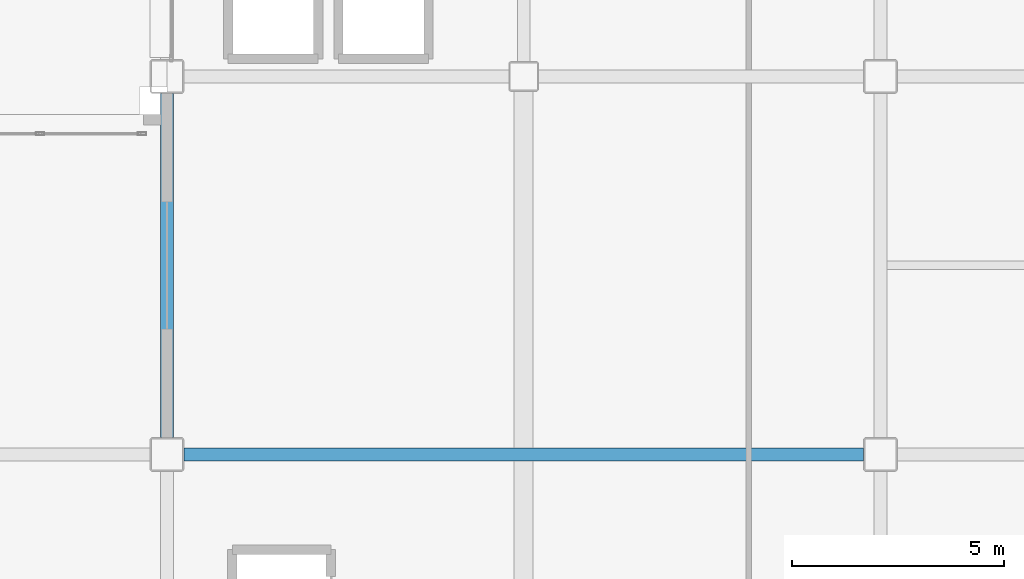
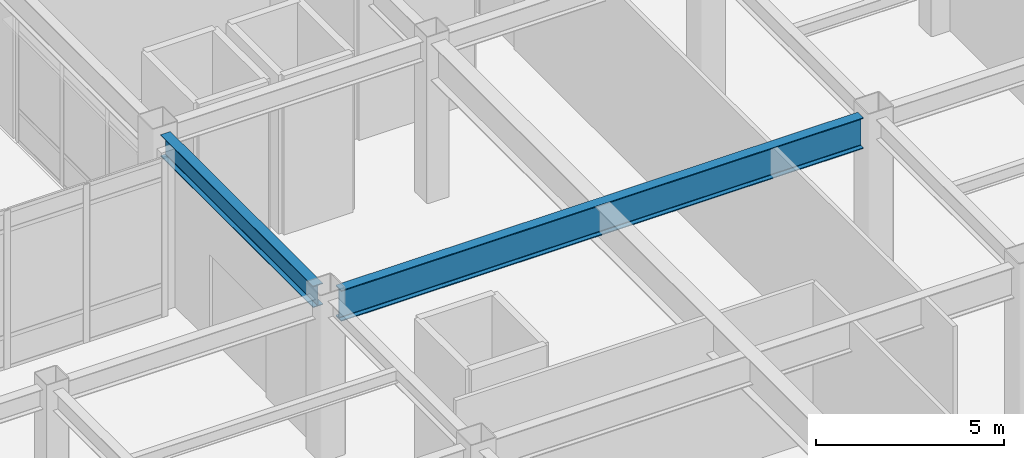
# One storey, part 94 of 165: 2 beams.
"""IFC4 building model written with IfcOpenShell, lengths in metres."""

from ifc_helpers import new_model, si_unit, direction, frame, origin, origin_2d, place, context, subcontext, project, spatial, i_section, extrude, material, material_profile, profile_set, type_object, element, save


model = new_model("IFC4")

# Units and contexts
model_context = context("Model", 3, precision=1e-05, world=origin(), true_north=direction((0.0, 1.0)))
body_context = subcontext(model_context, "Body", "Model", "MODEL_VIEW")
ifc_project = project(units=[si_unit("LENGTHUNIT", "METRE"), si_unit("AREAUNIT", "SQUARE_METRE"), si_unit("VOLUMEUNIT", "CUBIC_METRE"), si_unit("PLANEANGLEUNIT", "RADIAN"), si_unit("MASSUNIT", "GRAM", prefix="KILO")], contexts=[model_context])

# Site, building, storey
site_placement = place(None, origin())
site = spatial("IfcSite", under=ifc_project, at=site_placement, CompositionType="ELEMENT")
building_placement = place(site_placement, origin())
building = spatial("IfcBuilding", under=site, at=building_placement, Name="Kazehara Bluff Congress Hotel", CompositionType="ELEMENT")
storey_placement = place(building_placement, origin())
storey = spatial("IfcBuildingStorey", under=building, at=storey_placement, Name="L00", CompositionType="ELEMENT", Elevation=0.0)

# Beams
ifc_material_1 = material(Name="Steel SN490B", Category="steel")
ifc_material_profile_1 = material_profile(ifc_material_1, i_section(OverallWidth=0.300048828125, OverallDepth=1.0, WebThickness=0.01611328125, FlangeThickness=0.028076171875, FilletRadius=0.02197265625, at=origin_2d()))
ifc_profile_set_1 = profile_set([ifc_material_profile_1], Name="Steel SN490B")
beam_type_1 = type_object("IfcBeamType", Name="TP-G-09", PredefinedType="BEAM", material=ifc_profile_set_1)
beam_1_placement = place(storey_placement, frame((144.10009765625, 32.0, 4.64990234375), z_axis=(1.0, 0.0, 0.0), x_axis=(0.0, 1.0, 0.0)))
element("IfcBeam", 1, at=beam_1_placement, inside=storey, type_object=beam_type_1, Name="L00 girder G-09 294", PredefinedType="BEAM", context=body_context, shape_type="SweptSolid", body=[
    extrude(i_section(OverallWidth=0.300048828125, OverallDepth=1.0, WebThickness=0.01611328125, FlangeThickness=0.028076171875, FilletRadius=0.02197265625, at=origin_2d()), origin(), (0.0, 0.0, 1.0), 16.0),
])
ifc_material_2 = material(Name="Steel SN490B", Category="steel")
ifc_material_profile_2 = material_profile(ifc_material_2, i_section(OverallWidth=0.300048828125, OverallDepth=0.699951171875, WebThickness=0.012939453125, FlangeThickness=0.02392578125, FilletRadius=0.01806640625, at=origin_2d()))
ifc_profile_set_2 = profile_set([ifc_material_profile_2], Name="Steel SN490B")
beam_type_2 = type_object("IfcBeamType", Name="TP-SP-03", PredefinedType="SPANDREL", material=ifc_profile_set_2)
beam_2_placement = place(storey_placement, frame((143.699951171875, 32.39990234375, 4.800048828125), z_axis=(0.0, 1.0, 0.0), x_axis=(-1.0, 0.0, 0.0)))
element("IfcBeam", 2, at=beam_2_placement, inside=storey, type_object=beam_type_2, Name="L00 girder SP-03 233", PredefinedType="SPANDREL", context=body_context, shape_type="SweptSolid", body=[
    extrude(i_section(OverallWidth=0.300048828125, OverallDepth=0.699951171875, WebThickness=0.012939453125, FlangeThickness=0.02392578125, FilletRadius=0.01806640625, at=origin_2d()), origin(), (0.0, 0.0, 1.0), 8.10009765625),
])

save(model, "model.ifc")
